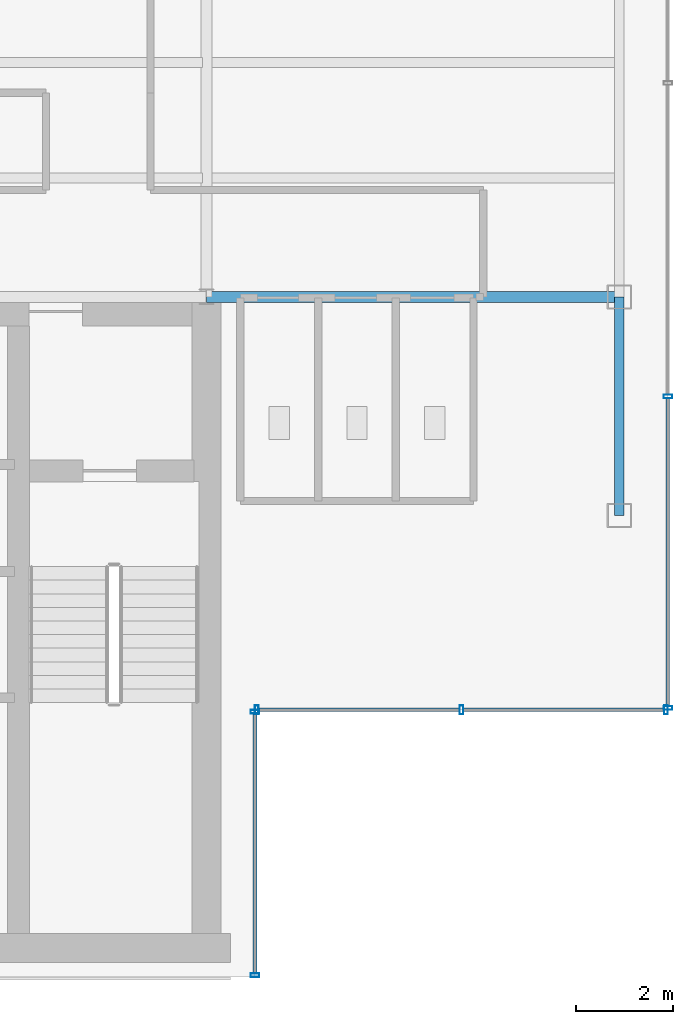
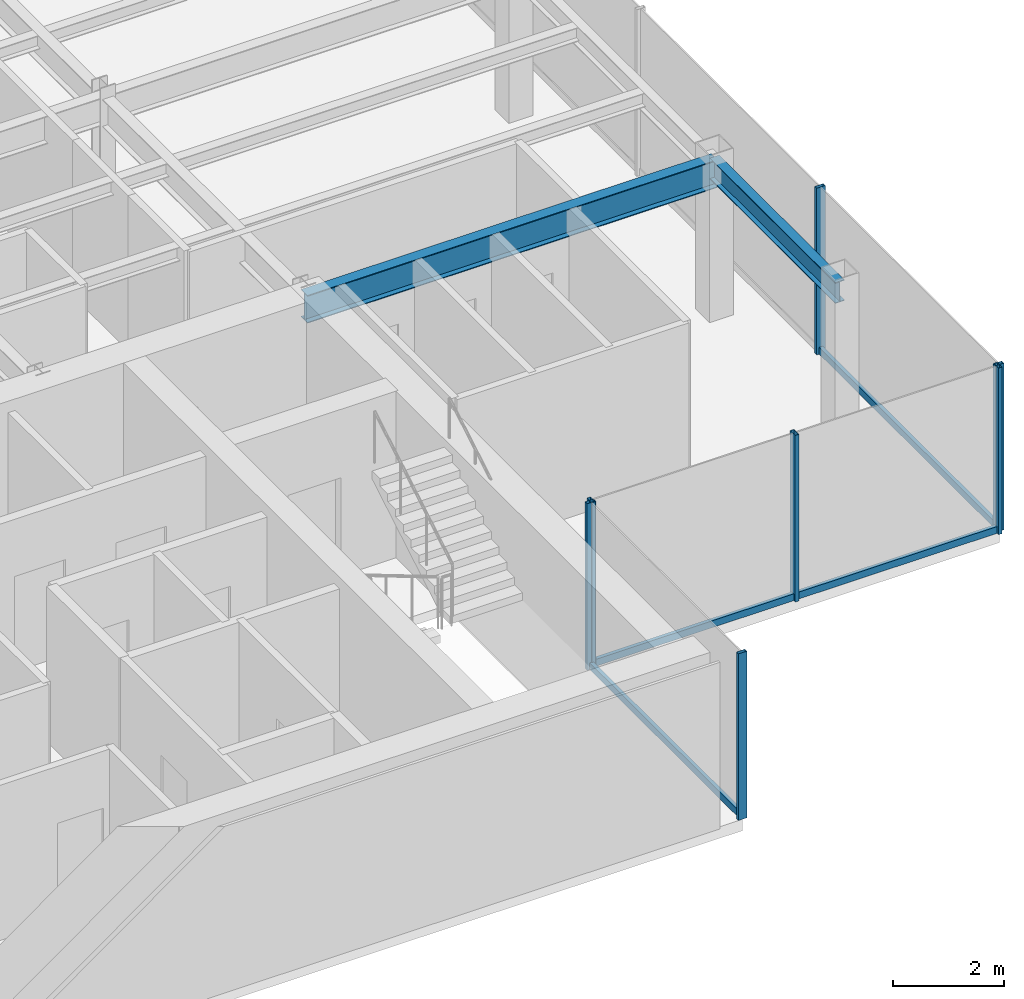
# One storey, part 9 of 22: 11 members, 2 beams, 3 elements without a shape of their own.
"""IFC4 building model written with IfcOpenShell, lengths in metres."""

from ifc_helpers import new_model, si_unit, derived_unit, direction, frame, origin, origin_2d, place, context, subcontext, project, spatial, hollow_rectangle, i_section, extrude, source, transform, mapped, material, material_profile, profile_set, type_object, element, aggregate, save


model = new_model("IFC4")

# Units and contexts
model_context = context("Model", 3, precision=1e-05, world=origin(), true_north=direction((0.0, 1.0)))
body_context = subcontext(model_context, "Body", "Model", "MODEL_VIEW")
ifc_project = project(units=[si_unit("LENGTHUNIT", "METRE"), si_unit("AREAUNIT", "SQUARE_METRE"), si_unit("VOLUMEUNIT", "CUBIC_METRE"), si_unit("PLANEANGLEUNIT", "RADIAN"), si_unit("MASSUNIT", "GRAM", prefix="KILO"), derived_unit("THERMALTRANSMITTANCEUNIT", [(si_unit("POWERUNIT", "WATT"), 1), (si_unit("LENGTHUNIT", "METRE"), -2), (si_unit("THERMODYNAMICTEMPERATUREUNIT", "KELVIN"), -1)])], contexts=[model_context])

# Site, building, storey
site_placement = place(None, origin())
site = spatial("IfcSite", under=ifc_project, at=site_placement, CompositionType="ELEMENT")
building_placement = place(site_placement, origin())
building = spatial("IfcBuilding", under=site, at=building_placement, Name="Skarnbrae Concourse Arena and Tower", CompositionType="ELEMENT")
storey_placement = place(building_placement, frame((0.0, 0.0, 284.35009765625)))
storey = spatial("IfcBuildingStorey", under=building, at=storey_placement, Name="L74", CompositionType="ELEMENT", Elevation=284.35009765625)

# Beams
ifc_material_1 = material(Name="Steel CSA G40.21 350W", Category="steel")
ifc_material_profile_1 = material_profile(ifc_material_1, i_section(OverallWidth=0.22802734375, OverallDepth=0.60791015625, WebThickness=0.01123046875, FlangeThickness=0.017333984375, at=origin_2d()), Name="W610X113")
ifc_profile_set_1 = profile_set([ifc_material_profile_1], Name="Steel CSA G40.21 350W")
beam_type_1 = type_object("IfcBeamType", Name="BM-GIRD-W610X113", PredefinedType="BEAM", material=ifc_profile_set_1)
shared_shape_1 = source(origin(), body_context, "Body", "SweptSolid", [
    extrude(i_section(OverallWidth=0.22802734375, OverallDepth=0.60791015625, WebThickness=0.01123046875, FlangeThickness=0.017333984375, at=origin_2d()), origin(), (0.0, 0.0, 1.0), 8.5),
])
beam_1_placement = place(storey_placement, frame((33.5, 14.0, 3.095947265625), z_axis=(1.0, 0.0, 0.0), x_axis=(0.0, 1.0, 0.0)))
element("IfcBeam", 1, at=beam_1_placement, inside=storey, type_object=beam_type_1, Name="L74 Primary E-W girder Y14.0-6", PredefinedType="BEAM", context=body_context, shape_type="MappedRepresentation", body=[
    mapped(shared_shape_1, transform((0.0, 0.0, 0.0))),
])
ifc_material_profile_2 = material_profile(ifc_material_1, i_section(OverallWidth=0.19091796875, OverallDepth=0.4599609375, WebThickness=0.010009765625, FlangeThickness=0.01611328125, at=origin_2d()), Name="W460X82")
ifc_profile_set_2 = profile_set([ifc_material_profile_2], Name="Steel CSA G40.21 350W")
beam_type_2 = type_object("IfcBeamType", Name="BM-SPAN-W460X82", PredefinedType="SPANDREL", material=ifc_profile_set_2)
shared_shape_2 = source(origin(), body_context, "Body", "SweptSolid", [
    extrude(i_section(OverallWidth=0.19091796875, OverallDepth=0.4599609375, WebThickness=0.010009765625, FlangeThickness=0.01611328125, at=origin_2d()), origin(), (0.0, 0.0, 1.0), 4.5),
])
beam_2_placement = place(storey_placement, frame((42.0, 9.5, 3.169921875), z_axis=(0.0, 1.0, 0.0), x_axis=(-1.0, 0.0, 0.0)))
element("IfcBeam", 2, at=beam_2_placement, inside=storey, type_object=beam_type_2, Name="L74 Perimeter spandrel X42.0-1", PredefinedType="SPANDREL", context=body_context, shape_type="MappedRepresentation", body=[
    mapped(shared_shape_2, transform((0.0, 0.0, 0.0))),
])

# Curtain wall, members
ifc_material_2 = material(Name="Bronze anodised aluminium 6063-T6", Category="aluminium")
curtain_wall_type = type_object("IfcCurtainWallType", Name="CW-SYS-05-HIGHZONE", PredefinedType="USERDEFINED", material=ifc_material_2)
curtain_wall_1_placement = place(storey_placement, origin())
curtain_wall_1 = element("IfcCurtainWall", 3, at=curtain_wall_1_placement, inside=storey, type_object=curtain_wall_type, Name="L74 Unitised curtain wall CW-L74-E02", ObjectType="UNITISED CURTAIN WALL", PredefinedType="USERDEFINED")
ifc_material_profile_3 = material_profile(ifc_material_2, hollow_rectangle(XDim=0.074951171875, YDim=0.179931640625, WallThickness=0.00390625, at=origin_2d()), Name="ALU-MULL-75X180")
ifc_profile_set_3 = profile_set([ifc_material_profile_3], Name="Bronze anodised aluminium 6063-T6")
member_type_1 = type_object("IfcMemberType", Name="CWM-CW-05", PredefinedType="MULLION", material=ifc_profile_set_3)
shared_shape_3 = source(origin(), body_context, "Body", "SweptSolid", [
    extrude(hollow_rectangle(XDim=0.074951171875, YDim=0.179931640625, WallThickness=0.00390625, at=origin_2d()), origin(), (0.0, 0.0, 1.0), 3.64990234375),
])
member_1_placement = place(storey_placement, frame((34.5, 0.03759765625, 0.0), z_axis=(0.0, 0.0, 1.0), x_axis=(0.0, 1.0, 0.0)))
member_1 = element("IfcMember", 4, at=member_1_placement, type_object=member_type_1, Name="CW-L74-E02 Mullion 1", PredefinedType="MULLION", context=body_context, shape_type="MappedRepresentation", body=[
    mapped(shared_shape_3, transform((0.0, 0.0, 0.0))),
])
member_2_placement = place(storey_placement, frame((34.5, 5.46240234375, 0.0), z_axis=(0.0, 0.0, 1.0), x_axis=(0.0, 1.0, 0.0)))
member_2 = element("IfcMember", 5, at=member_2_placement, type_object=member_type_1, Name="CW-L74-E02 Mullion 2", PredefinedType="MULLION", context=body_context, shape_type="MappedRepresentation", body=[
    mapped(shared_shape_3, transform((0.0, 0.0, 0.0))),
])

curtain_wall_2_placement = place(storey_placement, origin())
curtain_wall_2 = element("IfcCurtainWall", 6, at=curtain_wall_2_placement, inside=storey, type_object=curtain_wall_type, Name="L74 Unitised curtain wall CW-L74-E03", ObjectType="UNITISED CURTAIN WALL", PredefinedType="USERDEFINED")
member_3_placement = place(storey_placement, frame((34.53759765625, 5.5, 0.0), z_axis=(0.0, 0.0, 1.0), x_axis=(1.0, 0.0, 0.0)))
member_3 = element("IfcMember", 7, at=member_3_placement, type_object=member_type_1, Name="CW-L74-E03 Mullion 1", PredefinedType="MULLION", context=body_context, shape_type="MappedRepresentation", body=[
    mapped(shared_shape_3, transform((0.0, 0.0, 0.0))),
])
member_4_placement = place(storey_placement, frame((38.75, 5.5, 0.0), z_axis=(0.0, 0.0, 1.0), x_axis=(1.0, 0.0, 0.0)))
member_4 = element("IfcMember", 8, at=member_4_placement, type_object=member_type_1, Name="CW-L74-E03 Mullion 2", PredefinedType="MULLION", context=body_context, shape_type="MappedRepresentation", body=[
    mapped(shared_shape_3, transform((0.0, 0.0, 0.0))),
])
member_5_placement = place(storey_placement, frame((42.96240234375, 5.5, 0.0), z_axis=(0.0, 0.0, 1.0), x_axis=(1.0, 0.0, 0.0)))
member_5 = element("IfcMember", 9, at=member_5_placement, type_object=member_type_1, Name="CW-L74-E03 Mullion 3", PredefinedType="MULLION", context=body_context, shape_type="MappedRepresentation", body=[
    mapped(shared_shape_3, transform((0.0, 0.0, 0.0))),
])

curtain_wall_3_placement = place(storey_placement, origin())
curtain_wall_3 = element("IfcCurtainWall", 10, at=curtain_wall_3_placement, inside=storey, type_object=curtain_wall_type, Name="L74 Unitised curtain wall CW-L74-E04", ObjectType="UNITISED CURTAIN WALL", PredefinedType="USERDEFINED")
member_6_placement = place(storey_placement, frame((43.0, 5.53759765625, 0.0), z_axis=(0.0, 0.0, 1.0), x_axis=(0.0, 1.0, 0.0)))
member_6 = element("IfcMember", 11, at=member_6_placement, type_object=member_type_1, Name="CW-L74-E04 Mullion 1", PredefinedType="MULLION", context=body_context, shape_type="MappedRepresentation", body=[
    mapped(shared_shape_3, transform((0.0, 0.0, 0.0))),
])
member_7_placement = place(storey_placement, frame((43.0, 11.949951171875, 0.0), z_axis=(0.0, 0.0, 1.0), x_axis=(0.0, 1.0, 0.0)))
member_7 = element("IfcMember", 12, at=member_7_placement, type_object=member_type_1, Name="CW-L74-E04 Mullion 2", PredefinedType="MULLION", context=body_context, shape_type="MappedRepresentation", body=[
    mapped(shared_shape_3, transform((0.0, 0.0, 0.0))),
])

# Member
ifc_material_profile_4 = material_profile(ifc_material_2, hollow_rectangle(XDim=0.074951171875, YDim=0.14990234375, WallThickness=0.00390625, at=origin_2d()), Name="ALU-TRAN-75X150")
ifc_profile_set_4 = profile_set([ifc_material_profile_4], Name="Bronze anodised aluminium 6063-T6")
member_type_2 = type_object("IfcMemberType", Name="CWT-CW-05", PredefinedType="USERDEFINED", material=ifc_profile_set_4)
shared_shape_4 = source(origin(), body_context, "Body", "SweptSolid", [
    extrude(hollow_rectangle(XDim=0.074951171875, YDim=0.14990234375, WallThickness=0.00390625, at=origin_2d()), origin(), (0.0, 0.0, 1.0), 5.35009765625),
])
member_8_placement = place(storey_placement, frame((34.5, 0.074951171875, 0.074951171875), z_axis=(0.0, 1.0, 0.0), x_axis=(-1.0, 0.0, 0.0)))
member_8 = element("IfcMember", 13, at=member_8_placement, type_object=member_type_2, Name="CW-L74-E02 Transom 1", ObjectType="TRANSOM", PredefinedType="USERDEFINED", context=body_context, shape_type="MappedRepresentation", body=[
    mapped(shared_shape_4, transform((0.0, 0.0, 0.0))),
])

aggregate(curtain_wall_1, [member_1, member_2, member_8])

shared_shape_5 = source(origin(), body_context, "Body", "SweptSolid", [
    extrude(hollow_rectangle(XDim=0.074951171875, YDim=0.14990234375, WallThickness=0.00390625, at=origin_2d()), origin(), (0.0, 0.0, 1.0), 4.137451171875),
])
member_9_placement = place(storey_placement, frame((34.574951171875, 5.5, 0.074951171875), z_axis=(1.0, 0.0, 0.0), x_axis=(0.0, 1.0, 0.0)))
member_9 = element("IfcMember", 14, at=member_9_placement, type_object=member_type_2, Name="CW-L74-E03 Transom 1", ObjectType="TRANSOM", PredefinedType="USERDEFINED", context=body_context, shape_type="MappedRepresentation", body=[
    mapped(shared_shape_5, transform((0.0, 0.0, 0.0))),
])

member_10_placement = place(storey_placement, frame((38.78759765625, 5.5, 0.074951171875), z_axis=(1.0, 0.0, 0.0), x_axis=(0.0, 1.0, 0.0)))
member_10 = element("IfcMember", 15, at=member_10_placement, type_object=member_type_2, Name="CW-L74-E03 Transom 2", ObjectType="TRANSOM", PredefinedType="USERDEFINED", context=body_context, shape_type="MappedRepresentation", body=[
    mapped(shared_shape_5, transform((0.0, 0.0, 0.0))),
])

aggregate(curtain_wall_2, [member_3, member_4, member_5, member_9, member_10])

shared_shape_6 = source(origin(), body_context, "Body", "SweptSolid", [
    extrude(hollow_rectangle(XDim=0.074951171875, YDim=0.14990234375, WallThickness=0.00390625, at=origin_2d()), origin(), (0.0, 0.0, 1.0), 6.337646484375),
])
member_11_placement = place(storey_placement, frame((43.0, 5.574951171875, 0.074951171875), z_axis=(0.0, 1.0, 0.0), x_axis=(-1.0, 0.0, 0.0)))
member_11 = element("IfcMember", 16, at=member_11_placement, type_object=member_type_2, Name="CW-L74-E04 Transom 1", ObjectType="TRANSOM", PredefinedType="USERDEFINED", context=body_context, shape_type="MappedRepresentation", body=[
    mapped(shared_shape_6, transform((0.0, 0.0, 0.0))),
])

aggregate(curtain_wall_3, [member_6, member_7, member_11])

save(model, "model.ifc")
